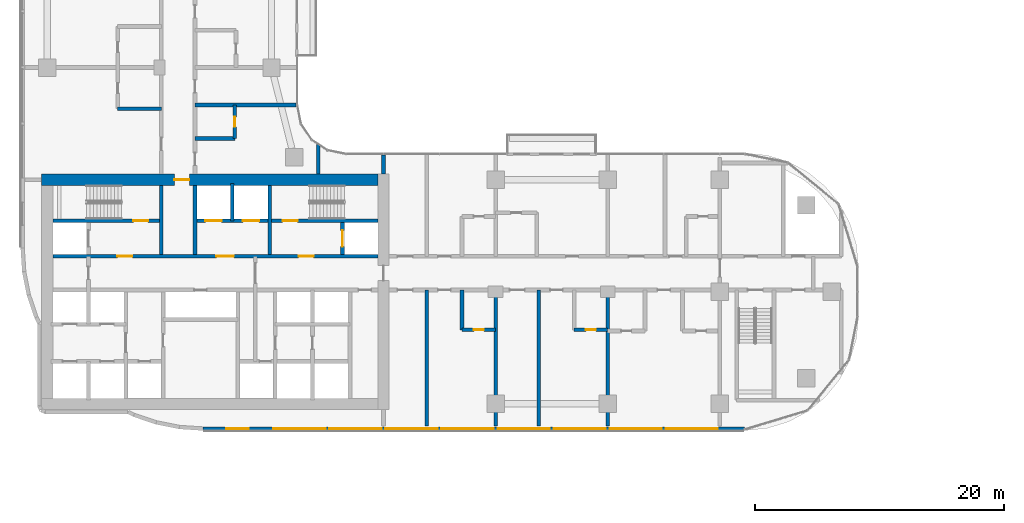
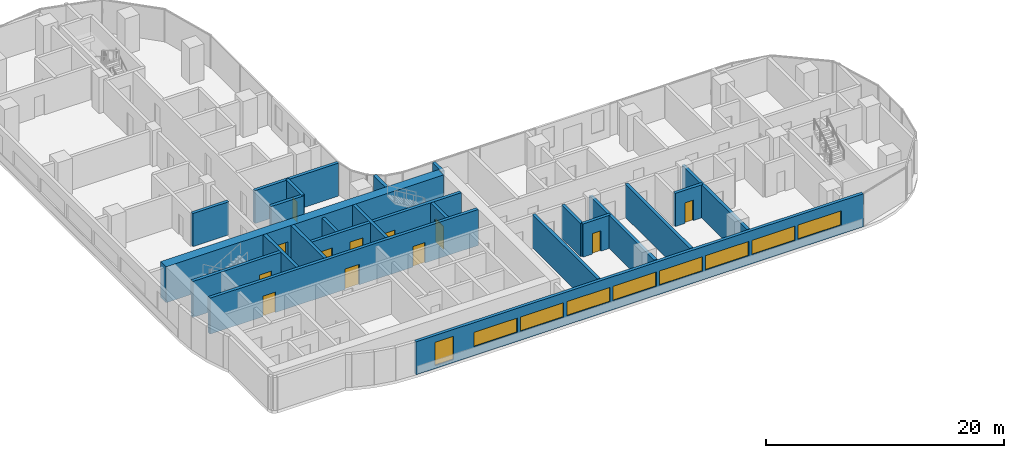
# One storey, part 16 of 32: 23 walls, 12 doors, 9 windows, 21 openings.
"""IFC4 building model written with IfcOpenShell, lengths in metres."""

from ifc_helpers import new_model, si_unit, direction, frame, frame_2d, origin, place, context, subcontext, project, spatial, rectangle, extrude, material, layer, layer_set, type_object, element, fill, save


model = new_model("IFC4")

# Units and contexts
model_context = context("Model", 3, precision=1e-05, world=origin(), true_north=direction((0.0, 1.0)))
body_context = subcontext(model_context, "Body", "Model", "MODEL_VIEW")
ifc_project = project(units=[si_unit("LENGTHUNIT", "METRE"), si_unit("AREAUNIT", "SQUARE_METRE"), si_unit("VOLUMEUNIT", "CUBIC_METRE"), si_unit("PLANEANGLEUNIT", "RADIAN"), si_unit("MASSUNIT", "GRAM", prefix="KILO")], contexts=[model_context])

# Site, building, storey
site_placement = place(None, origin())
site = spatial("IfcSite", under=ifc_project, at=site_placement, CompositionType="ELEMENT")
building_placement = place(site_placement, origin())
building = spatial("IfcBuilding", under=site, at=building_placement, Name="Ogive Portal Towers", CompositionType="ELEMENT")
storey_placement = place(building_placement, frame((0.0, 0.0, 55.699951171875)))
storey = spatial("IfcBuildingStorey", under=building, at=storey_placement, Name="L12", CompositionType="ELEMENT", Elevation=55.699951171875)

# Wall, openings, doors
ifc_material_1 = material(Name="Concrete C60/75", Category="concrete")
ifc_layer_1 = layer(ifc_material_1, 0.300048828125)
ifc_layer_set_1 = layer_set([ifc_layer_1], Name="CORE WALL 300 C60")
wall_type_1 = type_object("IfcWallType", Name="CORE WALL 300 C60", PredefinedType="SHEAR", material=ifc_layer_set_1)
wall_1_placement = place(storey_placement, frame((31.949951171875, 33.35009765625, 0.0), z_axis=(0.0, 0.0, 1.0), x_axis=(1.0, 0.0, 0.0)))
wall_1 = element("IfcWall", 1, at=wall_1_placement, inside=storey, type_object=wall_type_1, Name="Core wall Y2 L12", PredefinedType="SHEAR", context=body_context, shape_type="SweptSolid", body=[
    extrude(rectangle(XDim=26.10009765625, YDim=0.300048828125, at=frame_2d((13.050048828125, 0.0))), origin(), (0.0, 0.0, 1.0), 3.699951171875),
])
opening_1_placement = place(wall_1_placement, frame((13.125, 0.0, 0.0)))
opening_1 = element("IfcOpeningElement", 2, at=opening_1_placement, cuts=wall_1, Name="Opening D03-003", PredefinedType="OPENING", context=body_context, shape_type="SweptSolid", body=[
    extrude(rectangle(XDim=1.39990234375, YDim=2.10009765625, at=frame_2d((0.699951171875, 1.050048828125))), frame((0.0, 0.16015625, 0.0), z_axis=(0.0, -1.0, 0.0), x_axis=(1.0, 0.0, 0.0)), (0.0, 0.0, 1.0), 0.320068359375),
])
opening_2_placement = place(wall_1_placement, frame((5.175048828125, 0.0, 0.0)))
opening_2 = element("IfcOpeningElement", 3, at=opening_2_placement, cuts=wall_1, Name="Opening D03-004", PredefinedType="OPENING", context=body_context, shape_type="SweptSolid", body=[
    extrude(rectangle(XDim=1.199951171875, YDim=2.10009765625, at=frame_2d((0.60009765625, 1.050048828125))), frame((0.0, 0.16015625, 0.0), z_axis=(0.0, -1.0, 0.0), x_axis=(1.0, 0.0, 0.0)), (0.0, 0.0, 1.0), 0.320068359375),
])
opening_3_placement = place(wall_1_placement, frame((19.72509765625, 0.0, 0.0)))
opening_3 = element("IfcOpeningElement", 4, at=opening_3_placement, cuts=wall_1, Name="Opening D03-005", PredefinedType="OPENING", context=body_context, shape_type="SweptSolid", body=[
    extrude(rectangle(XDim=1.199951171875, YDim=2.10009765625, at=frame_2d((0.60009765625, 1.050048828125))), frame((0.0, 0.16015625, 0.0), z_axis=(0.0, -1.0, 0.0), x_axis=(1.0, 0.0, 0.0)), (0.0, 0.0, 1.0), 0.320068359375),
])
ifc_material_2 = material(Name="Steel fire door", Category="steel")
door_type_1 = type_object("IfcDoorType", Name="DT-SWING-1200x2100-FD90S", OperationType="SINGLE_SWING_LEFT", PredefinedType="DOOR", material=ifc_material_2)
door_1_placement = place(opening_2_placement, origin())
door_1 = element("IfcDoor", 5, at=door_1_placement, inside=storey, type_object=door_type_1, Name="Door D03-004", OperationType="SINGLE_SWING_LEFT", OverallHeight=2.10009765625, OverallWidth=1.199951171875, PredefinedType="DOOR", context=body_context, shape_type="SweptSolid", body=[
    extrude(rectangle(XDim=1.199951171875, YDim=2.10009765625, at=frame_2d((0.60009765625, 1.050048828125))), frame((0.0, 0.02490234375, 0.0), z_axis=(0.0, -1.0, 0.0), x_axis=(1.0, 0.0, 0.0)), (0.0, 0.0, 1.0), 0.050048828125),
])
fill(opening_2, door_1)
door_2_placement = place(opening_3_placement, origin())
door_2 = element("IfcDoor", 6, at=door_2_placement, inside=storey, type_object=door_type_1, Name="Door D03-005", OperationType="SINGLE_SWING_RIGHT", OverallHeight=2.10009765625, OverallWidth=1.199951171875, PredefinedType="DOOR", context=body_context, shape_type="SweptSolid", body=[
    extrude(rectangle(XDim=1.199951171875, YDim=2.10009765625, at=frame_2d((0.60009765625, 1.050048828125))), frame((0.0, 0.02490234375, 0.0), z_axis=(0.0, -1.0, 0.0), x_axis=(1.0, 0.0, 0.0)), (0.0, 0.0, 1.0), 0.050048828125),
])
fill(opening_3, door_2)
door_type_2 = type_object("IfcDoorType", Name="DT-SWING-1400x2100-FD90S", OperationType="SINGLE_SWING_LEFT", PredefinedType="DOOR", material=ifc_material_2)
door_3_placement = place(opening_1_placement, origin())
door_3 = element("IfcDoor", 7, at=door_3_placement, inside=storey, type_object=door_type_2, Name="Door D03-003", OperationType="SINGLE_SWING_RIGHT", OverallHeight=2.10009765625, OverallWidth=1.39990234375, PredefinedType="DOOR", context=body_context, shape_type="SweptSolid", body=[
    extrude(rectangle(XDim=1.39990234375, YDim=2.10009765625, at=frame_2d((0.699951171875, 1.050048828125))), frame((0.0, 0.02490234375, 0.0), z_axis=(0.0, -1.0, 0.0), x_axis=(1.0, 0.0, 0.0)), (0.0, 0.0, 1.0), 0.050048828125),
])
fill(opening_1, door_3)

# Wall, opening, door
wall_2_placement = place(storey_placement, frame((31.949951171875, 36.199951171875, 0.0), z_axis=(0.0, 0.0, 1.0), x_axis=(1.0, 0.0, 0.0)))
wall_2 = element("IfcWall", 8, at=wall_2_placement, inside=storey, type_object=wall_type_1, Name="Core wall Y3a L12", PredefinedType="SHEAR", context=body_context, shape_type="SweptSolid", body=[
    extrude(rectangle(XDim=8.550048828125, YDim=0.300048828125, at=frame_2d((4.27490234375, 0.0))), origin(), (0.0, 0.0, 1.0), 3.699951171875),
])
opening_4_placement = place(wall_2_placement, frame((6.449951171875, 0.0, 0.0)))
opening_4 = element("IfcOpeningElement", 9, at=opening_4_placement, cuts=wall_2, Name="Opening D03-006", PredefinedType="OPENING", context=body_context, shape_type="SweptSolid", body=[
    extrude(rectangle(XDim=1.199951171875, YDim=2.10009765625, at=frame_2d((0.60009765625, 1.050048828125))), frame((0.0, 0.16015625, 0.0), z_axis=(0.0, -1.0, 0.0), x_axis=(1.0, 0.0, 0.0)), (0.0, 0.0, 1.0), 0.320068359375),
])
door_4_placement = place(opening_4_placement, origin())
door_4 = element("IfcDoor", 10, at=door_4_placement, inside=storey, type_object=door_type_1, Name="Door D03-006", OperationType="SINGLE_SWING_RIGHT", OverallHeight=2.10009765625, OverallWidth=1.199951171875, PredefinedType="DOOR", context=body_context, shape_type="SweptSolid", body=[
    extrude(rectangle(XDim=1.199951171875, YDim=2.10009765625, at=frame_2d((0.60009765625, 1.050048828125))), frame((0.0, 0.02490234375, 0.0), z_axis=(0.0, -1.0, 0.0), x_axis=(1.0, 0.0, 0.0)), (0.0, 0.0, 1.0), 0.050048828125),
])
fill(opening_4, door_4)

# Wall, openings, doors
wall_3_placement = place(storey_placement, frame((43.5, 36.199951171875, 0.0), z_axis=(0.0, 0.0, 1.0), x_axis=(1.0, 0.0, 0.0)))
wall_3 = element("IfcWall", 11, at=wall_3_placement, inside=storey, type_object=wall_type_1, Name="Core wall Y3b L12", PredefinedType="SHEAR", context=body_context, shape_type="SweptSolid", body=[
    extrude(rectangle(XDim=14.550048828125, YDim=0.300048828125, at=frame_2d((7.27490234375, 0.0))), origin(), (0.0, 0.0, 1.0), 3.699951171875),
])
opening_5_placement = place(wall_3_placement, frame((6.89990234375, 0.0, 0.0)))
opening_5 = element("IfcOpeningElement", 12, at=opening_5_placement, cuts=wall_3, Name="Opening D03-007", PredefinedType="OPENING", context=body_context, shape_type="SweptSolid", body=[
    extrude(rectangle(XDim=1.199951171875, YDim=2.10009765625, at=frame_2d((0.60009765625, 1.050048828125))), frame((0.0, 0.16015625, 0.0), z_axis=(0.0, -1.0, 0.0), x_axis=(1.0, 0.0, 0.0)), (0.0, 0.0, 1.0), 0.320068359375),
])
opening_6_placement = place(wall_3_placement, frame((0.699951171875, 0.0, 0.0)))
opening_6 = element("IfcOpeningElement", 13, at=opening_6_placement, cuts=wall_3, Name="Opening D03-017", PredefinedType="OPENING", context=body_context, shape_type="SweptSolid", body=[
    extrude(rectangle(XDim=1.300048828125, YDim=2.39990234375, at=frame_2d((0.64990234375, 1.199951171875))), frame((0.0, 0.16015625, 0.0), z_axis=(0.0, -1.0, 0.0), x_axis=(1.0, 0.0, 0.0)), (0.0, 0.0, 1.0), 0.320068359375),
])
opening_7_placement = place(wall_3_placement, frame((3.699951171875, 0.0, 0.0)))
opening_7 = element("IfcOpeningElement", 14, at=opening_7_placement, cuts=wall_3, Name="Opening D03-018", PredefinedType="OPENING", context=body_context, shape_type="SweptSolid", body=[
    extrude(rectangle(XDim=1.300048828125, YDim=2.39990234375, at=frame_2d((0.64990234375, 1.199951171875))), frame((0.0, 0.16015625, 0.0), z_axis=(0.0, -1.0, 0.0), x_axis=(1.0, 0.0, 0.0)), (0.0, 0.0, 1.0), 0.320068359375),
])
ifc_material_3 = material(Name="Stainless steel", Category="steel")
door_type_3 = type_object("IfcDoorType", Name="DT-LD-1300x2400", OperationType="SLIDING_TO_LEFT", PredefinedType="DOOR", material=ifc_material_3)
door_5_placement = place(opening_6_placement, origin())
door_5 = element("IfcDoor", 15, at=door_5_placement, inside=storey, type_object=door_type_3, Name="Door D03-017", OperationType="SLIDING_TO_LEFT", OverallHeight=2.39990234375, OverallWidth=1.300048828125, PredefinedType="DOOR", context=body_context, shape_type="SweptSolid", body=[
    extrude(rectangle(XDim=1.300048828125, YDim=2.39990234375, at=frame_2d((0.64990234375, 1.199951171875))), frame((0.0, 0.02490234375, 0.0), z_axis=(0.0, -1.0, 0.0), x_axis=(1.0, 0.0, 0.0)), (0.0, 0.0, 1.0), 0.050048828125),
])
fill(opening_6, door_5)
door_6_placement = place(opening_7_placement, origin())
door_6 = element("IfcDoor", 16, at=door_6_placement, inside=storey, type_object=door_type_3, Name="Door D03-018", OperationType="SLIDING_TO_LEFT", OverallHeight=2.39990234375, OverallWidth=1.300048828125, PredefinedType="DOOR", context=body_context, shape_type="SweptSolid", body=[
    extrude(rectangle(XDim=1.300048828125, YDim=2.39990234375, at=frame_2d((0.64990234375, 1.199951171875))), frame((0.0, 0.02490234375, 0.0), z_axis=(0.0, -1.0, 0.0), x_axis=(1.0, 0.0, 0.0)), (0.0, 0.0, 1.0), 0.050048828125),
])
fill(opening_7, door_6)
door_7_placement = place(opening_5_placement, origin())
door_7 = element("IfcDoor", 17, at=door_7_placement, inside=storey, type_object=door_type_1, Name="Door D03-007", OperationType="SINGLE_SWING_LEFT", OverallHeight=2.10009765625, OverallWidth=1.199951171875, PredefinedType="DOOR", context=body_context, shape_type="SweptSolid", body=[
    extrude(rectangle(XDim=1.199951171875, YDim=2.10009765625, at=frame_2d((0.60009765625, 1.050048828125))), frame((0.0, 0.02490234375, 0.0), z_axis=(0.0, -1.0, 0.0), x_axis=(1.0, 0.0, 0.0)), (0.0, 0.0, 1.0), 0.050048828125),
])
fill(opening_5, door_7)

# Walls
for number, where, z_axis, x_axis, name in (
    (18, (40.64990234375, 33.5, 0.0), (0.0, 0.0, 1.0), (0.0, 1.0, 0.0), "Core wall X6 L12"),
    (19, (43.35009765625, 33.5, 0.0), (0.0, 0.0, 1.0), (0.0, 1.0, 0.0), "Core wall X7 L12"),
    (20, (49.35009765625, 33.5, 0.0), (0.0, 0.0, 1.0), (0.0, 1.0, 0.0), "Core wall X9 L12"),
):
    element("IfcWall", number, at=place(storey_placement, frame(where, z_axis=z_axis, x_axis=x_axis)), inside=storey, type_object=wall_type_1, Name=name, PredefinedType="SHEAR", context=body_context, shape_type="SweptSolid", body=[
        extrude(rectangle(XDim=5.550048828125, YDim=0.300048828125, at=frame_2d((2.77490234375, 0.0))), origin(), (0.0, 0.0, 1.0), 3.699951171875),
    ])

# Wall, opening, door
wall_4_placement = place(storey_placement, frame((55.199951171875, 33.5, 0.0), z_axis=(0.0, 0.0, 1.0), x_axis=(0.0, 1.0, 0.0)))
wall_4 = element("IfcWall", 21, at=wall_4_placement, inside=storey, type_object=wall_type_1, Name="Core wall X10 L12", PredefinedType="SHEAR", context=body_context, shape_type="SweptSolid", body=[
    extrude(rectangle(XDim=2.550048828125, YDim=0.300048828125, at=frame_2d((1.27490234375, 0.0))), origin(), (0.0, 0.0, 1.0), 3.699951171875),
])
opening_8_placement = place(wall_4_placement, frame((0.625, 0.0, 0.0)))
opening_8 = element("IfcOpeningElement", 22, at=opening_8_placement, cuts=wall_4, Name="Opening D03-020", PredefinedType="OPENING", context=body_context, shape_type="SweptSolid", body=[
    extrude(rectangle(XDim=1.300048828125, YDim=2.39990234375, at=frame_2d((0.64990234375, 1.199951171875))), frame((0.0, 0.16015625, 0.0), z_axis=(0.0, -1.0, 0.0), x_axis=(1.0, 0.0, 0.0)), (0.0, 0.0, 1.0), 0.320068359375),
])
door_8_placement = place(opening_8_placement, origin())
door_8 = element("IfcDoor", 23, at=door_8_placement, inside=storey, type_object=door_type_3, Name="Door D03-020", OperationType="SLIDING_TO_LEFT", OverallHeight=2.39990234375, OverallWidth=1.300048828125, PredefinedType="DOOR", context=body_context, shape_type="SweptSolid", body=[
    extrude(rectangle(XDim=1.300048828125, YDim=2.39990234375, at=frame_2d((0.64990234375, 1.199951171875))), frame((0.0, 0.02490234375, 0.0), z_axis=(0.0, -1.0, 0.0), x_axis=(1.0, 0.0, 0.0)), (0.0, 0.0, 1.0), 0.050048828125),
])
fill(opening_8, door_8)

ifc_layer_2 = layer(ifc_material_1, 0.89990234375)
ifc_layer_set_2 = layer_set([ifc_layer_2], Name="CORE WALL 900 C60")
wall_type_2 = type_object("IfcWallType", Name="CORE WALL 900 C60", PredefinedType="SHEAR", material=ifc_layer_set_2)
wall_5_placement = place(storey_placement, frame((31.050048828125, 39.5, 0.0), z_axis=(0.0, 0.0, 1.0), x_axis=(1.0, 0.0, 0.0)))
wall_5 = element("IfcWall", 24, at=wall_5_placement, inside=storey, type_object=wall_type_2, Name="Core wall N L12", PredefinedType="SHEAR", context=body_context, shape_type="SweptSolid", body=[
    extrude(rectangle(XDim=27.0, YDim=0.89990234375, at=frame_2d((13.5, 0.0))), origin(), (0.0, 0.0, 1.0), 3.699951171875),
])
opening_9_placement = place(wall_5_placement, frame((10.64990234375, 0.0, 0.0)))
opening_9 = element("IfcOpeningElement", 25, at=opening_9_placement, cuts=wall_5, Name="Opening D03-012", PredefinedType="OPENING", context=body_context, shape_type="SweptSolid", body=[
    extrude(rectangle(XDim=1.199951171875, YDim=2.10009765625, at=frame_2d((0.60009765625, 1.050048828125))), frame((0.0, 0.4599609375, 0.0), z_axis=(0.0, -1.0, 0.0), x_axis=(1.0, 0.0, 0.0)), (0.0, 0.0, 1.0), 0.919921875),
])
door_9_placement = place(opening_9_placement, origin())
door_9 = element("IfcDoor", 26, at=door_9_placement, inside=storey, type_object=door_type_1, Name="Door D03-012", OperationType="SINGLE_SWING_RIGHT", OverallHeight=2.10009765625, OverallWidth=1.199951171875, PredefinedType="DOOR", context=body_context, shape_type="SweptSolid", body=[
    extrude(rectangle(XDim=1.199951171875, YDim=2.10009765625, at=frame_2d((0.60009765625, 1.050048828125))), frame((0.0, 0.02490234375, 0.0), z_axis=(0.0, -1.0, 0.0), x_axis=(1.0, 0.0, 0.0)), (0.0, 0.0, 1.0), 0.050048828125),
])
fill(opening_9, door_9)

# Wall, openings, windows
ifc_material_4 = material(Name="Limestone cladding on lightweight block wall", Category="masonry")
ifc_layer_3 = layer(ifc_material_4, 0.300048828125)
ifc_layer_set_3 = layer_set([ifc_layer_3], Name="EXTERNAL WALL 300 STONE")
wall_type_3 = type_object("IfcWallType", Name="EXTERNAL WALL 300 STONE", PredefinedType="SOLIDWALL", material=ifc_layer_set_3)
wall_6_placement = place(storey_placement, frame((44.009765625, 19.5048828125, 0.0), z_axis=(0.0, 0.0, 1.0), x_axis=(1.0, 0.0, 0.0)))
wall_6 = element("IfcWall", 27, at=wall_6_placement, inside=storey, type_object=wall_type_3, Name="A:L12:f08:r0:wall", PredefinedType="SOLIDWALL", context=body_context, shape_type="SweptSolid", body=[
    extrude(rectangle(XDim=43.478271484375, YDim=0.300048828125, at=frame_2d((21.7392578125, 0.0))), origin(), (0.0, 0.0, 1.0), 3.400146484375),
])
opening_10_placement = place(wall_6_placement, frame((1.844970703125, 0.0, 0.300048828125)))
opening_10 = element("IfcOpeningElement", 28, at=opening_10_placement, cuts=wall_6, Name="Opening WN10", PredefinedType="OPENING", context=body_context, shape_type="SweptSolid", body=[
    extrude(rectangle(XDim=1.800048828125, YDim=2.39990234375, at=frame_2d((0.89990234375, 1.199951171875))), frame((0.0, 0.16015625, 0.0), z_axis=(0.0, -1.0, 0.0), x_axis=(1.0, 0.0, 0.0)), (0.0, 0.0, 1.0), 0.320068359375),
])
opening_11_placement = place(wall_6_placement, frame((5.64013671875, 0.0, 0.89990234375)))
opening_11 = element("IfcOpeningElement", 29, at=opening_11_placement, cuts=wall_6, Name="Opening WN11", PredefinedType="OPENING", context=body_context, shape_type="SweptSolid", body=[
    extrude(rectangle(XDim=4.199951171875, YDim=1.5, at=frame_2d((2.10009765625, 0.75))), frame((0.0, 0.16015625, 0.0), z_axis=(0.0, -1.0, 0.0), x_axis=(1.0, 0.0, 0.0)), (0.0, 0.0, 1.0), 0.320068359375),
])
opening_12_placement = place(wall_6_placement, frame((10.14013671875, 0.0, 0.89990234375)))
opening_12 = element("IfcOpeningElement", 30, at=opening_12_placement, cuts=wall_6, Name="Opening WN11", PredefinedType="OPENING", context=body_context, shape_type="SweptSolid", body=[
    extrude(rectangle(XDim=4.199951171875, YDim=1.5, at=frame_2d((2.10009765625, 0.75))), frame((0.0, 0.16015625, 0.0), z_axis=(0.0, -1.0, 0.0), x_axis=(1.0, 0.0, 0.0)), (0.0, 0.0, 1.0), 0.320068359375),
])
opening_13_placement = place(wall_6_placement, frame((14.64013671875, 0.0, 0.89990234375)))
opening_13 = element("IfcOpeningElement", 31, at=opening_13_placement, cuts=wall_6, Name="Opening WN11", PredefinedType="OPENING", context=body_context, shape_type="SweptSolid", body=[
    extrude(rectangle(XDim=4.199951171875, YDim=1.5, at=frame_2d((2.10009765625, 0.75))), frame((0.0, 0.16015625, 0.0), z_axis=(0.0, -1.0, 0.0), x_axis=(1.0, 0.0, 0.0)), (0.0, 0.0, 1.0), 0.320068359375),
])
opening_14_placement = place(wall_6_placement, frame((19.14013671875, 0.0, 0.89990234375)))
opening_14 = element("IfcOpeningElement", 32, at=opening_14_placement, cuts=wall_6, Name="Opening WN11", PredefinedType="OPENING", context=body_context, shape_type="SweptSolid", body=[
    extrude(rectangle(XDim=4.199951171875, YDim=1.5, at=frame_2d((2.10009765625, 0.75))), frame((0.0, 0.16015625, 0.0), z_axis=(0.0, -1.0, 0.0), x_axis=(1.0, 0.0, 0.0)), (0.0, 0.0, 1.0), 0.320068359375),
])
opening_15_placement = place(wall_6_placement, frame((23.64013671875, 0.0, 0.89990234375)))
opening_15 = element("IfcOpeningElement", 33, at=opening_15_placement, cuts=wall_6, Name="Opening WN11", PredefinedType="OPENING", context=body_context, shape_type="SweptSolid", body=[
    extrude(rectangle(XDim=4.199951171875, YDim=1.5, at=frame_2d((2.10009765625, 0.75))), frame((0.0, 0.16015625, 0.0), z_axis=(0.0, -1.0, 0.0), x_axis=(1.0, 0.0, 0.0)), (0.0, 0.0, 1.0), 0.320068359375),
])
opening_16_placement = place(wall_6_placement, frame((28.14013671875, 0.0, 0.89990234375)))
opening_16 = element("IfcOpeningElement", 34, at=opening_16_placement, cuts=wall_6, Name="Opening WN11", PredefinedType="OPENING", context=body_context, shape_type="SweptSolid", body=[
    extrude(rectangle(XDim=4.199951171875, YDim=1.5, at=frame_2d((2.10009765625, 0.75))), frame((0.0, 0.16015625, 0.0), z_axis=(0.0, -1.0, 0.0), x_axis=(1.0, 0.0, 0.0)), (0.0, 0.0, 1.0), 0.320068359375),
])
opening_17_placement = place(wall_6_placement, frame((32.64013671875, 0.0, 0.89990234375)))
opening_17 = element("IfcOpeningElement", 35, at=opening_17_placement, cuts=wall_6, Name="Opening WN11", PredefinedType="OPENING", context=body_context, shape_type="SweptSolid", body=[
    extrude(rectangle(XDim=4.199951171875, YDim=1.5, at=frame_2d((2.10009765625, 0.75))), frame((0.0, 0.16015625, 0.0), z_axis=(0.0, -1.0, 0.0), x_axis=(1.0, 0.0, 0.0)), (0.0, 0.0, 1.0), 0.320068359375),
])
opening_18_placement = place(wall_6_placement, frame((37.14013671875, 0.0, 0.89990234375)))
opening_18 = element("IfcOpeningElement", 36, at=opening_18_placement, cuts=wall_6, Name="Opening WN11", PredefinedType="OPENING", context=body_context, shape_type="SweptSolid", body=[
    extrude(rectangle(XDim=4.199951171875, YDim=1.5, at=frame_2d((2.10009765625, 0.75))), frame((0.0, 0.16015625, 0.0), z_axis=(0.0, -1.0, 0.0), x_axis=(1.0, 0.0, 0.0)), (0.0, 0.0, 1.0), 0.320068359375),
])
ifc_material_5 = material(Name="Glass, clear low-iron insulated glazing", Category="glass")
window_type_1 = type_object("IfcWindowType", Name="WINDOW RIBBON 4200x1500", PartitioningType="TRIPLE_PANEL_VERTICAL", PredefinedType="WINDOW", material=ifc_material_5)
window_1_placement = place(opening_11_placement, origin())
window_1 = element("IfcWindow", 37, at=window_1_placement, inside=storey, type_object=window_type_1, Name="A:L12:f08:r0:w1", OverallHeight=1.5, OverallWidth=4.199951171875, PartitioningType="SINGLE_PANEL", PredefinedType="WINDOW", context=body_context, shape_type="SweptSolid", body=[
    extrude(rectangle(XDim=4.199951171875, YDim=1.5, at=frame_2d((2.10009765625, 0.75))), frame((0.0, 0.030029296875, 0.0), z_axis=(0.0, -1.0, 0.0), x_axis=(1.0, 0.0, 0.0)), (0.0, 0.0, 1.0), 0.06005859375),
])
fill(opening_11, window_1)
window_2_placement = place(opening_12_placement, origin())
window_2 = element("IfcWindow", 38, at=window_2_placement, inside=storey, type_object=window_type_1, Name="A:L12:f08:r0:w2", OverallHeight=1.5, OverallWidth=4.199951171875, PartitioningType="SINGLE_PANEL", PredefinedType="WINDOW", context=body_context, shape_type="SweptSolid", body=[
    extrude(rectangle(XDim=4.199951171875, YDim=1.5, at=frame_2d((2.10009765625, 0.75))), frame((0.0, 0.030029296875, 0.0), z_axis=(0.0, -1.0, 0.0), x_axis=(1.0, 0.0, 0.0)), (0.0, 0.0, 1.0), 0.06005859375),
])
fill(opening_12, window_2)
window_3_placement = place(opening_13_placement, origin())
window_3 = element("IfcWindow", 39, at=window_3_placement, inside=storey, type_object=window_type_1, Name="A:L12:f08:r0:w3", OverallHeight=1.5, OverallWidth=4.199951171875, PartitioningType="SINGLE_PANEL", PredefinedType="WINDOW", context=body_context, shape_type="SweptSolid", body=[
    extrude(rectangle(XDim=4.199951171875, YDim=1.5, at=frame_2d((2.10009765625, 0.75))), frame((0.0, 0.030029296875, 0.0), z_axis=(0.0, -1.0, 0.0), x_axis=(1.0, 0.0, 0.0)), (0.0, 0.0, 1.0), 0.06005859375),
])
fill(opening_13, window_3)
window_4_placement = place(opening_14_placement, origin())
window_4 = element("IfcWindow", 40, at=window_4_placement, inside=storey, type_object=window_type_1, Name="A:L12:f08:r0:w4", OverallHeight=1.5, OverallWidth=4.199951171875, PartitioningType="SINGLE_PANEL", PredefinedType="WINDOW", context=body_context, shape_type="SweptSolid", body=[
    extrude(rectangle(XDim=4.199951171875, YDim=1.5, at=frame_2d((2.10009765625, 0.75))), frame((0.0, 0.030029296875, 0.0), z_axis=(0.0, -1.0, 0.0), x_axis=(1.0, 0.0, 0.0)), (0.0, 0.0, 1.0), 0.06005859375),
])
fill(opening_14, window_4)
window_5_placement = place(opening_15_placement, origin())
window_5 = element("IfcWindow", 41, at=window_5_placement, inside=storey, type_object=window_type_1, Name="A:L12:f08:r0:w5", OverallHeight=1.5, OverallWidth=4.199951171875, PartitioningType="SINGLE_PANEL", PredefinedType="WINDOW", context=body_context, shape_type="SweptSolid", body=[
    extrude(rectangle(XDim=4.199951171875, YDim=1.5, at=frame_2d((2.10009765625, 0.75))), frame((0.0, 0.030029296875, 0.0), z_axis=(0.0, -1.0, 0.0), x_axis=(1.0, 0.0, 0.0)), (0.0, 0.0, 1.0), 0.06005859375),
])
fill(opening_15, window_5)
window_6_placement = place(opening_16_placement, origin())
window_6 = element("IfcWindow", 42, at=window_6_placement, inside=storey, type_object=window_type_1, Name="A:L12:f08:r0:w6", OverallHeight=1.5, OverallWidth=4.199951171875, PartitioningType="SINGLE_PANEL", PredefinedType="WINDOW", context=body_context, shape_type="SweptSolid", body=[
    extrude(rectangle(XDim=4.199951171875, YDim=1.5, at=frame_2d((2.10009765625, 0.75))), frame((0.0, 0.030029296875, 0.0), z_axis=(0.0, -1.0, 0.0), x_axis=(1.0, 0.0, 0.0)), (0.0, 0.0, 1.0), 0.06005859375),
])
fill(opening_16, window_6)
window_7_placement = place(opening_17_placement, origin())
window_7 = element("IfcWindow", 43, at=window_7_placement, inside=storey, type_object=window_type_1, Name="A:L12:f08:r0:w7", OverallHeight=1.5, OverallWidth=4.199951171875, PartitioningType="SINGLE_PANEL", PredefinedType="WINDOW", context=body_context, shape_type="SweptSolid", body=[
    extrude(rectangle(XDim=4.199951171875, YDim=1.5, at=frame_2d((2.10009765625, 0.75))), frame((0.0, 0.030029296875, 0.0), z_axis=(0.0, -1.0, 0.0), x_axis=(1.0, 0.0, 0.0)), (0.0, 0.0, 1.0), 0.06005859375),
])
fill(opening_17, window_7)
window_8_placement = place(opening_18_placement, origin())
window_8 = element("IfcWindow", 44, at=window_8_placement, inside=storey, type_object=window_type_1, Name="A:L12:f08:r0:w8", OverallHeight=1.5, OverallWidth=4.199951171875, PartitioningType="SINGLE_PANEL", PredefinedType="WINDOW", context=body_context, shape_type="SweptSolid", body=[
    extrude(rectangle(XDim=4.199951171875, YDim=1.5, at=frame_2d((2.10009765625, 0.75))), frame((0.0, 0.030029296875, 0.0), z_axis=(0.0, -1.0, 0.0), x_axis=(1.0, 0.0, 0.0)), (0.0, 0.0, 1.0), 0.06005859375),
])
fill(opening_18, window_8)
window_type_2 = type_object("IfcWindowType", Name="WINDOW SUITE CORNER 1800x2400", PartitioningType="DOUBLE_PANEL_VERTICAL", PredefinedType="WINDOW", material=ifc_material_5)
window_9_placement = place(opening_10_placement, origin())
window_9 = element("IfcWindow", 45, at=window_9_placement, inside=storey, type_object=window_type_2, Name="A:L12:f08:r0:w0", OverallHeight=2.39990234375, OverallWidth=1.800048828125, PartitioningType="SINGLE_PANEL", PredefinedType="WINDOW", context=body_context, shape_type="SweptSolid", body=[
    extrude(rectangle(XDim=1.800048828125, YDim=2.39990234375, at=frame_2d((0.89990234375, 1.199951171875))), frame((0.0, 0.030029296875, 0.0), z_axis=(0.0, -1.0, 0.0), x_axis=(1.0, 0.0, 0.0)), (0.0, 0.0, 1.0), 0.06005859375),
])
fill(opening_10, window_9)

# Wall, opening, door
ifc_material_6 = material(Name="Gypsum board partition on steel studs", Category="steel")
ifc_layer_4 = layer(ifc_material_6, 0.300048828125)
ifc_layer_set_4 = layer_set([ifc_layer_4], Name="WT-PART-300-EI 60")
wall_type_4 = type_object("IfcWallType", Name="WT-PART-300-EI 60", PredefinedType="PARTITIONING", material=ifc_layer_set_4)
wall_7_placement = place(storey_placement, frame((64.800048828125, 27.449951171875, 0.0), z_axis=(0.0, 0.0, 1.0), x_axis=(1.0, 0.0, 0.0)))
wall_7 = element("IfcWall", 46, at=wall_7_placement, inside=storey, type_object=wall_type_4, Name="Wall L12:w004", PredefinedType="PARTITIONING", context=body_context, shape_type="SweptSolid", body=[
    extrude(rectangle(XDim=2.699951171875, YDim=0.300048828125, at=frame_2d((1.35009765625, 0.0))), origin(), (0.0, 0.0, 1.0), 3.400146484375),
])
opening_19_placement = place(wall_7_placement, frame((0.949951171875, 0.0, 0.0)))
opening_19 = element("IfcOpeningElement", 47, at=opening_19_placement, cuts=wall_7, Name="Opening D03-030", PredefinedType="OPENING", context=body_context, shape_type="SweptSolid", body=[
    extrude(rectangle(XDim=0.800048828125, YDim=2.10009765625, at=frame_2d((0.39990234375, 1.050048828125))), frame((0.0, 0.16015625, 0.0), z_axis=(0.0, -1.0, 0.0), x_axis=(1.0, 0.0, 0.0)), (0.0, 0.0, 1.0), 0.320068359375),
])
door_type_4 = type_object("IfcDoorType", Name="DT-BATH-800x2100-FD60S", OperationType="SINGLE_SWING_LEFT", PredefinedType="DOOR", material=ifc_material_2)
door_10_placement = place(opening_19_placement, origin())
door_10 = element("IfcDoor", 48, at=door_10_placement, inside=storey, type_object=door_type_4, Name="Door D03-030", OperationType="SINGLE_SWING_RIGHT", OverallHeight=2.10009765625, OverallWidth=0.800048828125, PredefinedType="DOOR", context=body_context, shape_type="SweptSolid", body=[
    extrude(rectangle(XDim=0.800048828125, YDim=2.10009765625, at=frame_2d((0.39990234375, 1.050048828125))), frame((0.0, 0.02490234375, 0.0), z_axis=(0.0, -1.0, 0.0), x_axis=(1.0, 0.0, 0.0)), (0.0, 0.0, 1.0), 0.050048828125),
])
fill(opening_19, door_10)

wall_8_placement = place(storey_placement, frame((73.800048828125, 27.449951171875, 0.0), z_axis=(0.0, 0.0, 1.0), x_axis=(1.0, 0.0, 0.0)))
wall_8 = element("IfcWall", 49, at=wall_8_placement, inside=storey, type_object=wall_type_4, Name="Wall L12:w005", PredefinedType="PARTITIONING", context=body_context, shape_type="SweptSolid", body=[
    extrude(rectangle(XDim=2.699951171875, YDim=0.300048828125, at=frame_2d((1.35009765625, 0.0))), origin(), (0.0, 0.0, 1.0), 3.400146484375),
])
opening_20_placement = place(wall_8_placement, frame((0.949951171875, 0.0, 0.0)))
opening_20 = element("IfcOpeningElement", 50, at=opening_20_placement, cuts=wall_8, Name="Opening D03-035", PredefinedType="OPENING", context=body_context, shape_type="SweptSolid", body=[
    extrude(rectangle(XDim=0.800048828125, YDim=2.10009765625, at=frame_2d((0.39990234375, 1.050048828125))), frame((0.0, 0.16015625, 0.0), z_axis=(0.0, -1.0, 0.0), x_axis=(1.0, 0.0, 0.0)), (0.0, 0.0, 1.0), 0.320068359375),
])
door_11_placement = place(opening_20_placement, origin())
door_11 = element("IfcDoor", 51, at=door_11_placement, inside=storey, type_object=door_type_4, Name="Door D03-035", OperationType="SINGLE_SWING_LEFT", OverallHeight=2.10009765625, OverallWidth=0.800048828125, PredefinedType="DOOR", context=body_context, shape_type="SweptSolid", body=[
    extrude(rectangle(XDim=0.800048828125, YDim=2.10009765625, at=frame_2d((0.39990234375, 1.050048828125))), frame((0.0, 0.02490234375, 0.0), z_axis=(0.0, -1.0, 0.0), x_axis=(1.0, 0.0, 0.0)), (0.0, 0.0, 1.0), 0.050048828125),
])
fill(opening_20, door_11)

# Walls
wall_9_placement = place(storey_placement, frame((43.35009765625, 42.800048828125, 0.0), z_axis=(0.0, 0.0, 1.0), x_axis=(1.0, 0.0, 0.0)))
element("IfcWall", 52, at=wall_9_placement, inside=storey, type_object=wall_type_4, Name="Wall L12:w015", PredefinedType="PARTITIONING", context=body_context, shape_type="SweptSolid", body=[
    extrude(rectangle(XDim=3.199951171875, YDim=0.300048828125, at=frame_2d((1.60009765625, 0.0))), origin(), (0.0, 0.0, 1.0), 3.400146484375),
])
wall_10_placement = place(storey_placement, frame((37.14990234375, 45.199951171875, 0.0), z_axis=(0.0, 0.0, 1.0), x_axis=(1.0, 0.0, 0.0)))
element("IfcWall", 53, at=wall_10_placement, inside=storey, type_object=wall_type_4, Name="Wall L12:w016", PredefinedType="PARTITIONING", context=body_context, shape_type="SweptSolid", body=[
    extrude(rectangle(XDim=3.5, YDim=0.300048828125, at=frame_2d((1.75, 0.0))), origin(), (0.0, 0.0, 1.0), 3.400146484375),
])
wall_11_placement = place(storey_placement, frame((43.35009765625, 45.5, 0.0), z_axis=(0.0, 0.0, 1.0), x_axis=(1.0, 0.0, 0.0)))
element("IfcWall", 54, at=wall_11_placement, inside=storey, type_object=wall_type_4, Name="Wall L12:w017", PredefinedType="PARTITIONING", context=body_context, shape_type="SweptSolid", body=[
    extrude(rectangle(XDim=8.125, YDim=0.300048828125, at=frame_2d((4.0625, 0.0))), origin(), (0.0, 0.0, 1.0), 3.400146484375),
])

# Wall, opening, door
wall_12_placement = place(storey_placement, frame((46.550048828125, 42.800048828125, 0.0), z_axis=(0.0, 0.0, 1.0), x_axis=(0.0, 1.0, 0.0)))
wall_12 = element("IfcWall", 55, at=wall_12_placement, inside=storey, type_object=wall_type_4, Name="Wall L12:w038", PredefinedType="PARTITIONING", context=body_context, shape_type="SweptSolid", body=[
    extrude(rectangle(XDim=2.699951171875, YDim=0.300048828125, at=frame_2d((1.35009765625, 0.0))), origin(), (0.0, 0.0, 1.0), 3.400146484375),
])
opening_21_placement = place(wall_12_placement, frame((0.949951171875, 0.0, 0.0)))
opening_21 = element("IfcOpeningElement", 56, at=opening_21_placement, cuts=wall_12, Name="Opening D03-043", PredefinedType="OPENING", context=body_context, shape_type="SweptSolid", body=[
    extrude(rectangle(XDim=0.800048828125, YDim=2.10009765625, at=frame_2d((0.39990234375, 1.050048828125))), frame((0.0, 0.16015625, 0.0), z_axis=(0.0, -1.0, 0.0), x_axis=(1.0, 0.0, 0.0)), (0.0, 0.0, 1.0), 0.320068359375),
])
door_12_placement = place(opening_21_placement, origin())
door_12 = element("IfcDoor", 57, at=door_12_placement, inside=storey, type_object=door_type_4, Name="Door D03-043", OperationType="SINGLE_SWING_LEFT", OverallHeight=2.10009765625, OverallWidth=0.800048828125, PredefinedType="DOOR", context=body_context, shape_type="SweptSolid", body=[
    extrude(rectangle(XDim=0.800048828125, YDim=2.10009765625, at=frame_2d((0.39990234375, 1.050048828125))), frame((0.0, 0.02490234375, 0.0), z_axis=(0.0, -1.0, 0.0), x_axis=(1.0, 0.0, 0.0)), (0.0, 0.0, 1.0), 0.050048828125),
])
fill(opening_21, door_12)

# Walls
wall_13_placement = place(storey_placement, frame((53.25, 39.949951171875, 0.0), z_axis=(0.0, 0.0, 1.0), x_axis=(0.0, 1.0, 0.0)))
element("IfcWall", 58, at=wall_13_placement, inside=storey, type_object=wall_type_4, Name="Wall L12:w042", PredefinedType="PARTITIONING", context=body_context, shape_type="SweptSolid", body=[
    extrude(rectangle(XDim=2.3759765625, YDim=0.300048828125, at=frame_2d((1.18798828125, 0.0))), origin(), (0.0, 0.0, 1.0), 3.400146484375),
])
wall_14_placement = place(storey_placement, frame((58.5, 39.949951171875, 0.0), z_axis=(0.0, 0.0, 1.0), x_axis=(0.0, 1.0, 0.0)))
element("IfcWall", 59, at=wall_14_placement, inside=storey, type_object=wall_type_4, Name="Wall L12:w044", PredefinedType="PARTITIONING", context=body_context, shape_type="SweptSolid", body=[
    extrude(rectangle(XDim=1.525146484375, YDim=0.300048828125, at=frame_2d((0.7626953125, 0.0))), origin(), (0.0, 0.0, 1.0), 3.400146484375),
])
wall_15_placement = place(storey_placement, frame((61.969970703125, 19.705078125, 0.0), z_axis=(0.0, 0.0, 1.0), x_axis=(0.0, 1.0, 0.0)))
element("IfcWall", 60, at=wall_15_placement, inside=storey, type_object=wall_type_4, Name="Wall L12:w045", PredefinedType="PARTITIONING", context=body_context, shape_type="SweptSolid", body=[
    extrude(rectangle(XDim=10.94482421875, YDim=0.300048828125, at=frame_2d((5.472412109375, 0.0))), origin(), (0.0, 0.0, 1.0), 3.400146484375),
])
wall_16_placement = place(storey_placement, frame((64.800048828125, 27.449951171875, 0.0), z_axis=(0.0, 0.0, 1.0), x_axis=(0.0, 1.0, 0.0)))
element("IfcWall", 61, at=wall_16_placement, inside=storey, type_object=wall_type_4, Name="Wall L12:w047", PredefinedType="PARTITIONING", context=body_context, shape_type="SweptSolid", body=[
    extrude(rectangle(XDim=3.199951171875, YDim=0.300048828125, at=frame_2d((1.60009765625, 0.0))), origin(), (0.0, 0.0, 1.0), 3.400146484375),
])
for number, where, z_axis, x_axis, name in (
    (62, (67.5, 19.705078125, 0.0), (0.0, 0.0, 1.0), (0.0, 1.0, 0.0), "Wall L12:w049"),
    (63, (70.969970703125, 19.705078125, 0.0), (0.0, 0.0, 1.0), (0.0, 1.0, 0.0), "Wall L12:w052"),
    (64, (76.5, 19.705078125, 0.0), (0.0, 0.0, 1.0), (0.0, 1.0, 0.0), "Wall L12:w054"),
):
    element("IfcWall", number, at=place(storey_placement, frame(where, z_axis=z_axis, x_axis=x_axis)), inside=storey, type_object=wall_type_4, Name=name, PredefinedType="PARTITIONING", context=body_context, shape_type="SweptSolid", body=[
        extrude(rectangle(XDim=10.94482421875, YDim=0.300048828125, at=frame_2d((5.472412109375, 0.0))), origin(), (0.0, 0.0, 1.0), 3.400146484375),
    ])
ifc_material_7 = material(Name="Concrete C40/50", Category="concrete")
ifc_layer_5 = layer(ifc_material_7, 0.300048828125)
ifc_layer_set_5 = layer_set([ifc_layer_5], Name="WT-SHAFT-300")
wall_type_5 = type_object("IfcWallType", Name="WT-SHAFT-300", PredefinedType="SOLIDWALL", material=ifc_layer_set_5)
wall_17_placement = place(storey_placement, frame((46.35009765625, 36.199951171875, 0.0), z_axis=(0.0, 0.0, 1.0), x_axis=(0.0, 1.0, 0.0)))
element("IfcWall", 65, at=wall_17_placement, inside=storey, type_object=wall_type_5, Name="Wall pw:009:L12", PredefinedType="SOLIDWALL", context=body_context, shape_type="SweptSolid", body=[
    extrude(rectangle(XDim=3.0, YDim=0.300048828125, at=frame_2d((1.5, 0.0))), origin(), (0.0, 0.0, 1.0), 3.400146484375),
])

save(model, "model.ifc")
